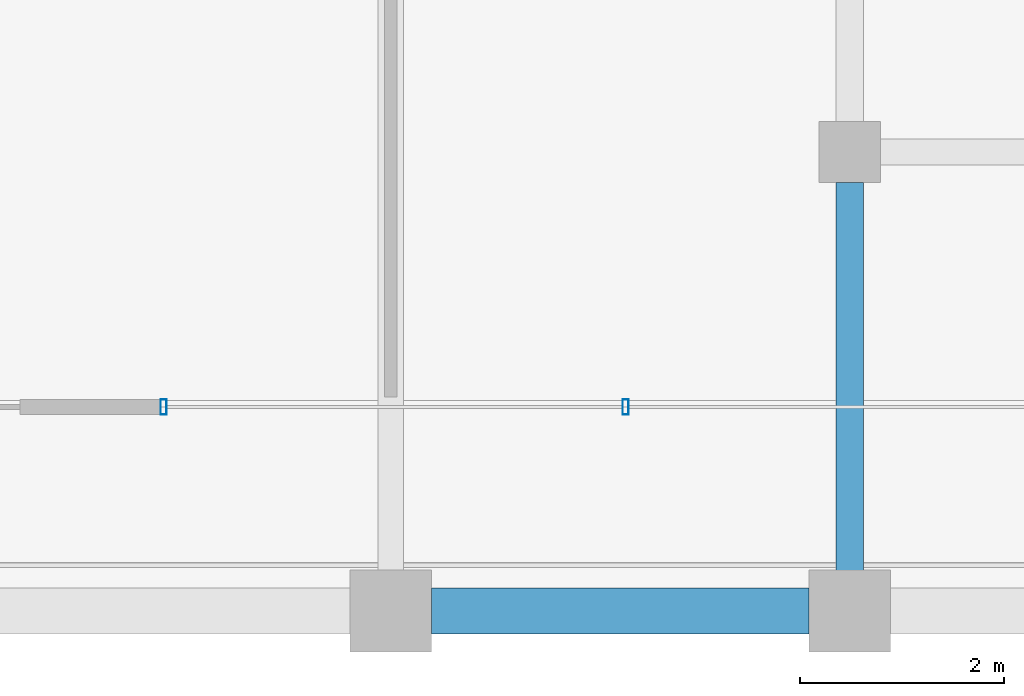
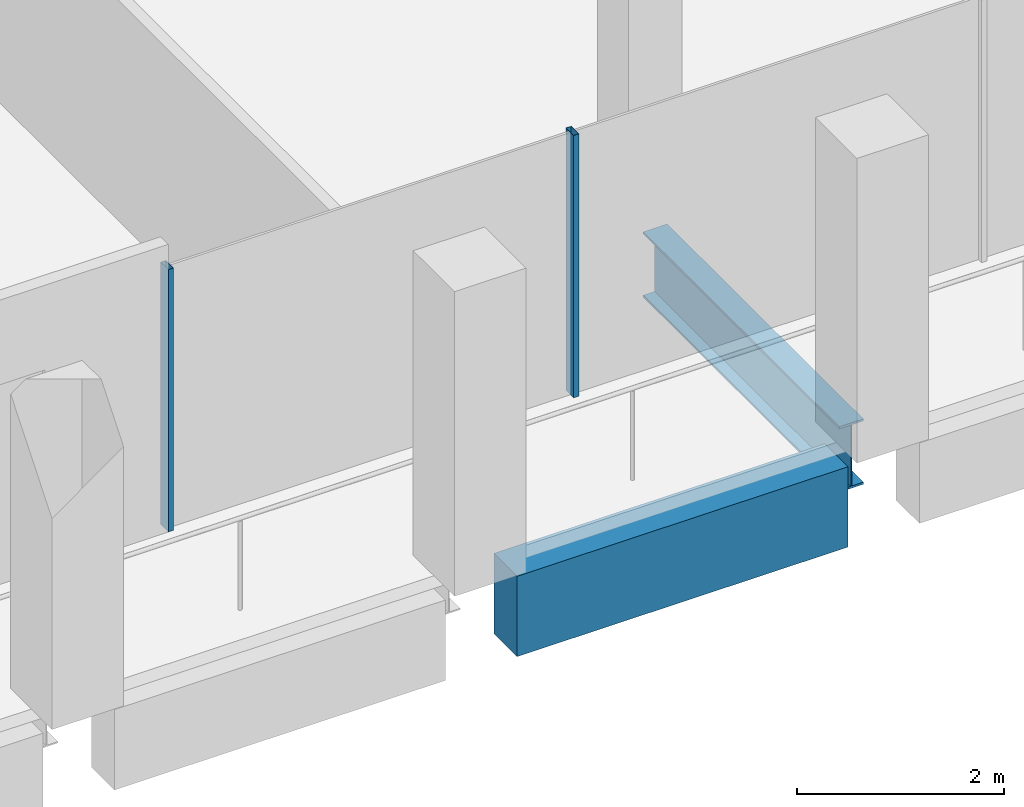
# One storey, part 9 of 30: 2 beams, 2 members, 1 element without a shape of its own.
"""IFC4 building model written with IfcOpenShell, lengths in metres."""

from ifc_helpers import new_model, si_unit, direction, frame, origin, origin_2d, place, context, subcontext, project, spatial, rectangle, hollow_rectangle, i_section, extrude, material, material_profile, profile_set, type_object, element, aggregate, save


model = new_model("IFC4")

# Units and contexts
model_context = context("Model", 3, precision=1e-05, world=origin(), true_north=direction((0.0, 1.0)))
body_context = subcontext(model_context, "Body", "Model", "MODEL_VIEW")
ifc_project = project(units=[si_unit("LENGTHUNIT", "METRE"), si_unit("AREAUNIT", "SQUARE_METRE"), si_unit("VOLUMEUNIT", "CUBIC_METRE"), si_unit("PLANEANGLEUNIT", "RADIAN"), si_unit("MASSUNIT", "GRAM", prefix="KILO")], contexts=[model_context])

# Site, building, storey
site_placement = place(None, origin())
site = spatial("IfcSite", under=ifc_project, at=site_placement, CompositionType="ELEMENT")
building_placement = place(site_placement, origin())
building = spatial("IfcBuilding", under=site, at=building_placement, Name="Altepetl Exchange Towers", CompositionType="ELEMENT")
storey_placement = place(building_placement, frame((0.0, 0.0, 242.39990234375)))
storey = spatial("IfcBuildingStorey", under=building, at=storey_placement, Name="L62", CompositionType="ELEMENT", Elevation=242.39990234375)

# Beam
ifc_material_1 = material(Name="Steel S355", Category="steel")
ifc_material_profile_1 = material_profile(ifc_material_1, i_section(OverallWidth=0.26806640625, OverallDepth=0.77392578125, WebThickness=0.015380859375, FlangeThickness=0.025390625, at=origin_2d()), Name="W30X132")
ifc_profile_set_1 = profile_set([ifc_material_profile_1], Name="Steel S355")
beam_type_1 = type_object("IfcBeamType", Name="Girder W30X132", PredefinedType="BEAM", material=ifc_profile_set_1)
beam_1_placement = place(storey_placement, frame((58.5, 31.199951171875, -0.536865234375), z_axis=(0.0, -1.0, 0.0), x_axis=(1.0, 0.0, 0.0)))
element("IfcBeam", 1, at=beam_1_placement, inside=storey, type_object=beam_type_1, Name="gd:A:L62:005", PredefinedType="BEAM", context=body_context, shape_type="SweptSolid", body=[
    extrude(i_section(OverallWidth=0.26806640625, OverallDepth=0.77392578125, WebThickness=0.015380859375, FlangeThickness=0.025390625, at=origin_2d()), origin(), (0.0, 0.0, 1.0), 3.800048828125),
])

# Curtain wall, members
ifc_material_2 = material(Name="Aluminium 6063-T6 glazing", Category="aluminium")
curtain_wall_type = type_object("IfcCurtainWallType", Name="Loggia glazing system", PredefinedType="NOTDEFINED", material=ifc_material_2)
curtain_wall_placement = place(storey_placement, origin())
curtain_wall = element("IfcCurtainWall", 2, at=curtain_wall_placement, inside=storey, type_object=curtain_wall_type, Name="CW1 run", PredefinedType="NOTDEFINED")
ifc_material_3 = material(Name="Aluminium 6063-T6", Category="aluminium")
ifc_material_profile_2 = material_profile(ifc_material_3, hollow_rectangle(XDim=0.06005859375, YDim=0.14990234375, WallThickness=0.0029296875, at=origin_2d()), Name="Mullion 60x150 aluminium")
ifc_profile_set_2 = profile_set([ifc_material_profile_2], Name="Aluminium 6063-T6")
member_type = type_object("IfcMemberType", Name="Mullion 60x150 aluminium", PredefinedType="MULLION", material=ifc_profile_set_2)
member_1_placement = place(storey_placement, frame((51.77294921875, 29.0, 0.0)))
member_1 = element("IfcMember", 3, at=member_1_placement, type_object=member_type, Name="MU1 mullion", PredefinedType="MULLION", context=body_context, shape_type="SweptSolid", body=[
    extrude(hollow_rectangle(XDim=0.06005859375, YDim=0.14990234375, WallThickness=0.0029296875, at=origin_2d()), origin(), (0.0, 0.0, 1.0), 3.10009765625),
])
member_2_placement = place(storey_placement, frame((56.303466796875, 29.0, 0.0)))
member_2 = element("IfcMember", 4, at=member_2_placement, type_object=member_type, Name="MU1 mullion", PredefinedType="MULLION", context=body_context, shape_type="SweptSolid", body=[
    extrude(hollow_rectangle(XDim=0.06005859375, YDim=0.14990234375, WallThickness=0.0029296875, at=origin_2d()), origin(), (0.0, 0.0, 1.0), 3.10009765625),
])
aggregate(curtain_wall, [member_1, member_2])

# Beam
ifc_material_4 = material(Name="Concrete C50/60 precast with cantera blanca facing", Category="concrete")
ifc_material_profile_3 = material_profile(ifc_material_4, rectangle(XDim=0.449951171875, YDim=0.949951171875, at=origin_2d()), Name="450 x 950")
ifc_profile_set_3 = profile_set([ifc_material_profile_3], Name="Concrete C50/60 precast with cantera blanca facing")
beam_type_2 = type_object("IfcBeamType", Name="Spandrel beam 450x950 cantera blanca", PredefinedType="SPANDREL", material=ifc_profile_set_3)
beam_2_placement = place(storey_placement, frame((54.39990234375, 27.0, -0.625), z_axis=(1.0, 0.0, 0.0), x_axis=(0.0, 1.0, 0.0)))
element("IfcBeam", 5, at=beam_2_placement, inside=storey, type_object=beam_type_2, Name="sp:A:L62:005", PredefinedType="SPANDREL", context=body_context, shape_type="SweptSolid", body=[
    extrude(rectangle(XDim=0.449951171875, YDim=0.949951171875, at=origin_2d()), origin(), (0.0, 0.0, 1.0), 3.7001953125),
])

save(model, "model.ifc")
